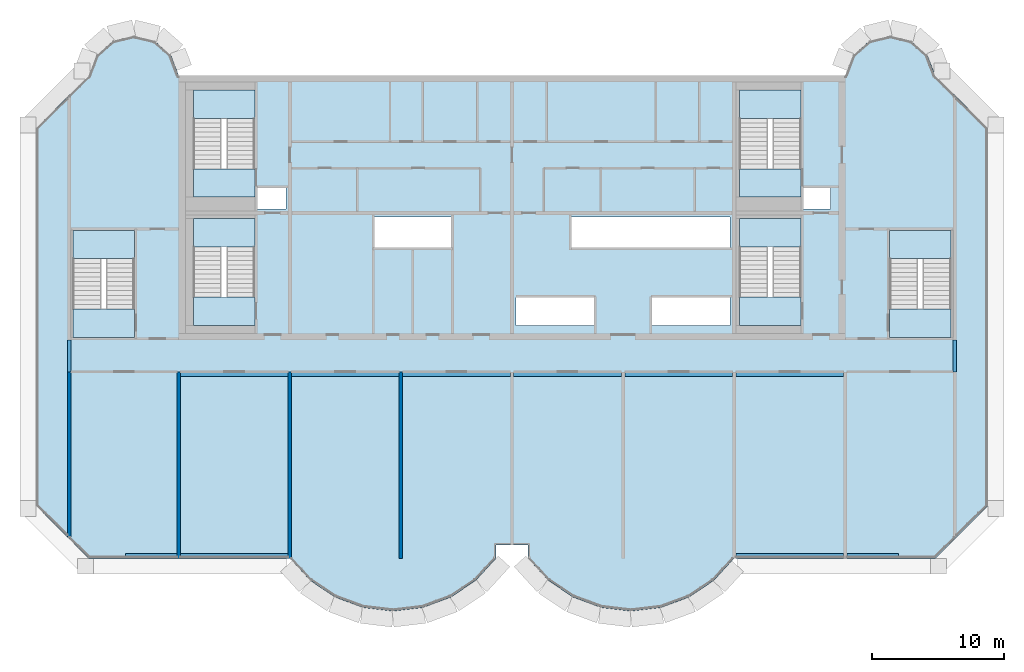
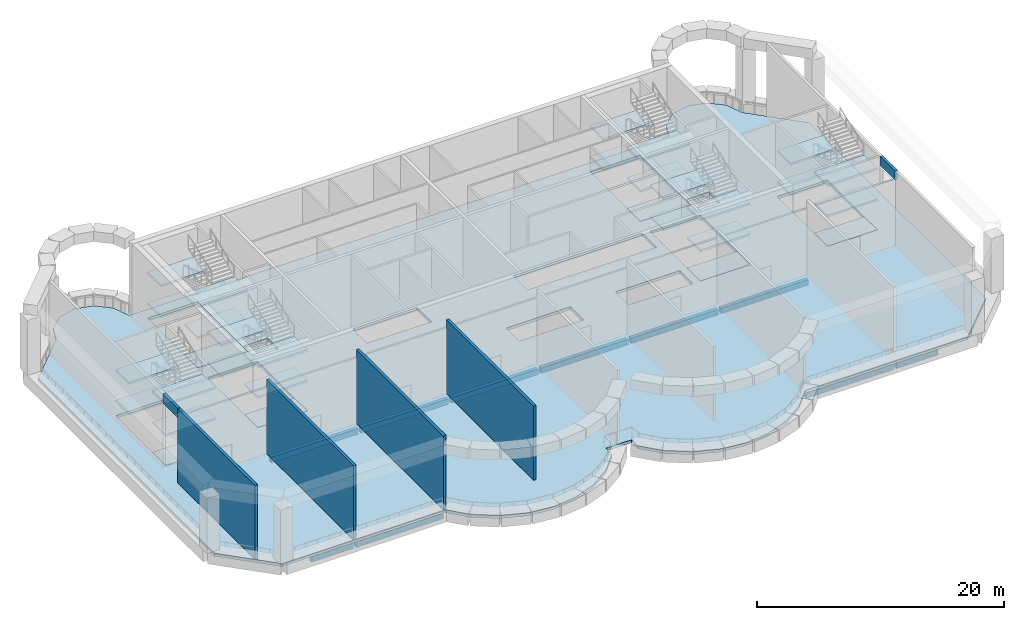
# One storey, part 1 of 11: 31 slabs, 12 beams, 4 walls, 6 elements without a shape of their own.
"""IFC4 building model written with IfcOpenShell, lengths in metres."""

from ifc_helpers import new_model, si_unit, direction, frame, frame_2d, origin, origin_2d, place, context, subcontext, project, spatial, polyline, rectangle, outline, extrude, source, transform, mapped, material, layer, layer_set, material_profile, profile_set, type_object, element, aggregate, save


model = new_model("IFC4")

# Units and contexts
model_context = context("Model", 3, precision=1e-05, world=origin(), true_north=direction((0.0, 1.0)))
body_context = subcontext(model_context, "Body", "Model", "MODEL_VIEW")
ifc_project = project(units=[si_unit("LENGTHUNIT", "METRE"), si_unit("AREAUNIT", "SQUARE_METRE"), si_unit("VOLUMEUNIT", "CUBIC_METRE"), si_unit("PLANEANGLEUNIT", "RADIAN"), si_unit("MASSUNIT", "GRAM", prefix="KILO")], contexts=[model_context])

# Site, building, storey
site_placement = place(None, origin())
site = spatial("IfcSite", under=ifc_project, at=site_placement, CompositionType="ELEMENT")
building_placement = place(site_placement, origin())
building = spatial("IfcBuilding", under=site, at=building_placement, Name="Vanashikhar Sky Hotel", CompositionType="ELEMENT")
storey_placement = place(building_placement, frame((0.0, 0.0, 270.10009765625)))
storey = spatial("IfcBuildingStorey", under=building, at=storey_placement, Name="L65", CompositionType="ELEMENT", Elevation=270.10009765625)

# Beams
ifc_material_1 = material(Name="Concrete M50", Category="concrete")
ifc_material_profile_1 = material_profile(ifc_material_1, rectangle(XDim=0.25, YDim=0.89990234375, at=origin_2d()))
ifc_profile_set_1 = profile_set([ifc_material_profile_1], Name="RC 250x900 beam Concrete M50")
beam_type_1 = type_object("IfcBeamType", Name="RC 250x900 beam Concrete M50", PredefinedType="LINTEL", material=ifc_profile_set_1)
shared_shape_1 = source(origin(), body_context, "Body", "SweptSolid", [
    extrude(rectangle(XDim=0.25, YDim=0.89990234375, at=origin_2d()), origin(), (0.0, 0.0, 1.0), 2.39990234375),
])
for number, where, z_axis, x_axis, name in (
    (1, (16.925048828125, 19.60009765625, 6.869873046875), (0.0, 1.0, 0.0), (-1.0, 0.0, 0.0), "LB-L65-XW03"),
    (2, (83.875, 19.60009765625, 6.869873046875), (0.0, 1.0, 0.0), (-1.0, 0.0, 0.0), "LB-L65-XW11"),
):
    element("IfcBeam", number, at=place(storey_placement, frame(where, z_axis=z_axis, x_axis=x_axis)), inside=storey, type_object=beam_type_1, Name=name, PredefinedType="LINTEL", context=body_context, shape_type="MappedRepresentation", body=[
        mapped(shared_shape_1, transform((0.0, 0.0, 0.0), scale=1.0)),
    ])
ifc_material_profile_2 = material_profile(ifc_material_1, rectangle(XDim=0.35009765625, YDim=0.550048828125, at=origin_2d()))
ifc_profile_set_2 = profile_set([ifc_material_profile_2], Name="RC 350x550 beam Concrete M50")
beam_type_2 = type_object("IfcBeamType", Name="RC 350x550 beam Concrete M50", PredefinedType="SPANDREL", material=ifc_profile_set_2)
shared_shape_2 = source(origin(), body_context, "Body", "SweptSolid", [
    extrude(rectangle(XDim=0.35009765625, YDim=0.550048828125, at=origin_2d()), origin(), (0.0, 0.0, 1.0), 8.150146484375),
])
for number, where, z_axis, x_axis, name in (
    (3, (25.324951171875, 5.675048828125, -0.55517578125), (1.0, 0.0, 0.0), (0.0, 1.0, 0.0), "EB-L65-F01"),
    (4, (67.324951171875, 5.675048828125, -0.55517578125), (1.0, 0.0, 0.0), (0.0, 1.0, 0.0), "EB-L65-F03"),
    (5, (25.324951171875, 19.425048828125, -0.55517578125), (1.0, 0.0, 0.0), (0.0, 1.0, 0.0), "CB-L65-01"),
    (6, (50.52490234375, 19.425048828125, -0.55517578125), (1.0, 0.0, 0.0), (0.0, 1.0, 0.0), "CB-L65-04"),
    (7, (67.324951171875, 19.425048828125, -0.55517578125), (1.0, 0.0, 0.0), (0.0, 1.0, 0.0), "CB-L65-06"),
):
    element("IfcBeam", number, at=place(storey_placement, frame(where, z_axis=z_axis, x_axis=x_axis)), inside=storey, type_object=beam_type_2, Name=name, PredefinedType="SPANDREL", context=body_context, shape_type="MappedRepresentation", body=[
        mapped(shared_shape_2, transform((0.0, 0.0, 0.0), scale=1.0)),
    ])
ifc_material_profile_3 = material_profile(ifc_material_1, rectangle(XDim=0.35009765625, YDim=0.550048828125, at=origin_2d()))
ifc_profile_set_3 = profile_set([ifc_material_profile_3], Name="RC 350x550 cantilever beam Concrete M50")
beam_type_3 = type_object("IfcBeamType", Name="RC 350x550 cantilever beam Concrete M50", PredefinedType="SPANDREL", material=ifc_profile_set_3)
shared_shape_3 = source(origin(), body_context, "Body", "SweptSolid", [
    extrude(rectangle(XDim=0.35009765625, YDim=0.550048828125, at=origin_2d()), origin(), (0.0, 0.0, 1.0), 3.89990234375),
])
for number, where, z_axis, x_axis, name in (
    (8, (21.175048828125, 5.675048828125, -0.55517578125), (1.0, 0.0, 0.0), (0.0, 1.0, 0.0), "EB-L65-F02"),
    (9, (75.72509765625, 5.675048828125, -0.55517578125), (1.0, 0.0, 0.0), (0.0, 1.0, 0.0), "EB-L65-F04"),
):
    element("IfcBeam", number, at=place(storey_placement, frame(where, z_axis=z_axis, x_axis=x_axis)), inside=storey, type_object=beam_type_3, Name=name, PredefinedType="SPANDREL", context=body_context, shape_type="MappedRepresentation", body=[
        mapped(shared_shape_3, transform((0.0, 0.0, 0.0), scale=1.0)),
    ])
shared_shape_4 = source(origin(), body_context, "Body", "SweptSolid", [
    extrude(rectangle(XDim=0.35009765625, YDim=0.550048828125, at=origin_2d()), origin(), (0.0, 0.0, 1.0), 8.14990234375),
])
for number, where, z_axis, x_axis, name in (
    (10, (33.72509765625, 19.425048828125, -0.55517578125), (1.0, 0.0, 0.0), (0.0, 1.0, 0.0), "CB-L65-02"),
    (11, (42.125, 19.425048828125, -0.55517578125), (1.0, 0.0, 0.0), (0.0, 1.0, 0.0), "CB-L65-03"),
    (12, (58.925048828125, 19.425048828125, -0.55517578125), (1.0, 0.0, 0.0), (0.0, 1.0, 0.0), "CB-L65-05"),
):
    element("IfcBeam", number, at=place(storey_placement, frame(where, z_axis=z_axis, x_axis=x_axis)), inside=storey, type_object=beam_type_2, Name=name, PredefinedType="SPANDREL", context=body_context, shape_type="MappedRepresentation", body=[
        mapped(shared_shape_4, transform((0.0, 0.0, 0.0), scale=1.0)),
    ])

# Slab
ifc_material_2 = material(Name="Concrete M40", Category="concrete")
ifc_layer_1 = layer(ifc_material_2, 0.280029296875)
ifc_layer_set_1 = layer_set([ifc_layer_1], Name="Floor slab 280 mm")
slab_type_1 = type_object("IfcSlabType", Name="Floor slab 280 mm", PredefinedType="FLOOR", material=ifc_layer_set_1)
shared_shape_5 = source(origin(), body_context, "Body", "SweptSolid", [
    extrude(outline(polyline([(49.199951171875, 5.5), (49.199951171875, 6.5), (51.60009765625, 6.5), (51.60009765625, 5.5), (53.133056640625, 3.825927734375), (55.01708984375, 2.55810546875), (57.14599609375, 1.76806640625), (59.39990234375, 1.5), (61.654052734375, 1.76806640625), (63.782958984375, 2.55810546875), (65.6669921875, 3.825927734375), (67.199951171875, 5.5), (82.39990234375, 5.5), (86.39990234375, 9.5), (86.39990234375, 38.0), (82.39990234375, 42.0), (81.81494140625, 43.527099609375), (80.587890625, 44.610107421875), (79.0, 45.0), (77.412109375, 44.610107421875), (76.18505859375, 43.527099609375), (75.60009765625, 42.0), (25.199951171875, 42.0), (24.614990234375, 43.527099609375), (23.387939453125, 44.610107421875), (21.800048828125, 45.0), (20.2119140625, 44.610107421875), (18.985107421875, 43.527099609375), (18.39990234375, 42.0), (14.39990234375, 38.0), (14.39990234375, 9.5), (18.39990234375, 5.5), (33.60009765625, 5.5), (35.133056640625, 3.825927734375), (37.01708984375, 2.55810546875), (39.14599609375, 1.76806640625), (41.39990234375, 1.5), (43.654052734375, 1.76806640625), (45.782958984375, 2.55810546875), (47.6669921875, 3.825927734375), (49.199951171875, 5.5)]), holes=[polyline([(33.300048828125, 33.60009765625), (31.050048828125, 33.60009765625), (31.050048828125, 31.89990234375), (33.300048828125, 31.89990234375), (33.300048828125, 33.60009765625)]), polyline([(39.89990234375, 31.300048828125), (39.89990234375, 29.0), (45.89990234375, 29.0), (45.89990234375, 31.300048828125), (39.89990234375, 31.300048828125)]), polyline([(50.699951171875, 25.199951171875), (50.699951171875, 23.10009765625), (56.699951171875, 23.10009765625), (56.699951171875, 25.199951171875), (50.699951171875, 25.199951171875)]), polyline([(66.89990234375, 29.0), (66.89990234375, 31.300048828125), (54.89990234375, 31.300048828125), (54.89990234375, 29.0), (66.89990234375, 29.0)]), polyline([(60.89990234375, 25.199951171875), (60.89990234375, 23.10009765625), (66.89990234375, 23.10009765625), (66.89990234375, 25.199951171875), (60.89990234375, 25.199951171875)]), polyline([(74.5, 33.60009765625), (72.35009765625, 33.60009765625), (72.35009765625, 31.89990234375), (74.5, 31.89990234375), (74.5, 33.60009765625)]), polyline([(30.949951171875, 23.10009765625), (30.949951171875, 31.199951171875), (26.300048828125, 31.199951171875), (26.300048828125, 23.10009765625), (30.949951171875, 23.10009765625)]), polyline([(72.25, 23.10009765625), (72.25, 31.199951171875), (67.60009765625, 31.199951171875), (67.60009765625, 23.10009765625), (72.25, 23.10009765625)]), polyline([(30.949951171875, 32.800048828125), (30.949951171875, 40.89990234375), (26.300048828125, 40.89990234375), (26.300048828125, 32.800048828125), (30.949951171875, 32.800048828125)]), polyline([(72.25, 32.800048828125), (72.25, 40.89990234375), (67.60009765625, 40.89990234375), (67.60009765625, 32.800048828125), (72.25, 32.800048828125)]), polyline([(83.60009765625, 22.199951171875), (83.60009765625, 30.300048828125), (78.949951171875, 30.300048828125), (78.949951171875, 22.199951171875), (83.60009765625, 22.199951171875)]), polyline([(21.85009765625, 22.199951171875), (21.85009765625, 30.300048828125), (17.199951171875, 30.300048828125), (17.199951171875, 22.199951171875), (21.85009765625, 22.199951171875)])]), origin(), (0.0, 0.0, 1.0), 0.280029296875),
])
slab_1_placement = place(storey_placement, frame((0.0, 0.0, -0.280029296875)))
element("IfcSlab", 13, at=slab_1_placement, inside=storey, type_object=slab_type_1, Name="Floor slab L65", PredefinedType="FLOOR", context=body_context, shape_type="MappedRepresentation", body=[
    mapped(shared_shape_5, transform((0.0, 0.0, 0.0), scale=1.0)),
])

# Stair, slabs
stair_type = type_object("IfcStairType", Name="Exit stair 2150", PredefinedType="DOUBLE_RETURN_STAIR", material=ifc_material_2)
stair_1_placement = place(storey_placement, origin())
stair_1 = element("IfcStair", 14, at=stair_1_placement, inside=storey, type_object=stair_type, Name="L65 Exit stair 1", PredefinedType="DOUBLE_RETURN_STAIR")
ifc_layer_2 = layer(ifc_material_2, 0.199951171875)
ifc_layer_set_2 = layer_set([ifc_layer_2], Name="Stair landing 200")
slab_type_2 = type_object("IfcSlabType", Name="Stair landing 200", PredefinedType="LANDING", material=ifc_layer_set_2)
shared_shape_6 = source(origin(), body_context, "Body", "SweptSolid", [
    extrude(outline(polyline([(30.949951171875, 29.050048828125), (30.949951171875, 31.199951171875), (26.300048828125, 31.199951171875), (26.300048828125, 29.050048828125), (30.949951171875, 29.050048828125)])), origin(), (0.0, 0.0, 1.0), 0.199951171875),
])
slab_2_placement = place(storey_placement, frame((0.0, 0.0, 4.35986328125)))
slab_2 = element("IfcSlab", 15, at=slab_2_placement, type_object=slab_type_2, Name="ST-C1 landing 3", PredefinedType="LANDING", context=body_context, shape_type="MappedRepresentation", body=[
    mapped(shared_shape_6, transform((0.0, 0.0, 0.0), scale=1.0)),
])
shared_shape_7 = source(origin(), body_context, "Body", "SweptSolid", [
    extrude(outline(polyline([(30.949951171875, 23.10009765625), (30.949951171875, 25.25), (26.300048828125, 25.25), (26.300048828125, 23.10009765625), (30.949951171875, 23.10009765625)])), origin(), (0.0, 0.0, 1.0), 0.199951171875),
])
slab_3_placement = place(storey_placement, frame((0.0, 0.0, 2.83984375)))
slab_3 = element("IfcSlab", 16, at=slab_3_placement, type_object=slab_type_2, Name="ST-C1 landing 2", PredefinedType="LANDING", context=body_context, shape_type="MappedRepresentation", body=[
    mapped(shared_shape_7, transform((0.0, 0.0, 0.0), scale=1.0)),
])
slab_4_placement = place(storey_placement, frame((0.0, 0.0, 5.8798828125)))
slab_4 = element("IfcSlab", 17, at=slab_4_placement, type_object=slab_type_2, Name="ST-C1 landing 4", PredefinedType="LANDING", context=body_context, shape_type="MappedRepresentation", body=[
    mapped(shared_shape_7, transform((0.0, 0.0, 0.0), scale=1.0)),
])
shared_shape_8 = source(origin(), body_context, "Body", "SweptSolid", [
    extrude(outline(polyline([(30.949951171875, 29.050048828125), (30.949951171875, 31.199951171875), (26.300048828125, 31.199951171875), (26.300048828125, 29.050048828125), (30.949951171875, 29.050048828125)])), origin(), (0.0, 0.0, 1.0), 0.2001953125),
])
slab_5_placement = place(storey_placement, frame((0.0, 0.0, 1.31982421875)))
slab_5 = element("IfcSlab", 18, at=slab_5_placement, type_object=slab_type_2, Name="ST-C1 landing 1", PredefinedType="LANDING", context=body_context, shape_type="MappedRepresentation", body=[
    mapped(shared_shape_8, transform((0.0, 0.0, 0.0), scale=1.0)),
])
aggregate(stair_1, [slab_5, slab_3, slab_2, slab_4])

# Slab
ifc_layer_3 = layer(ifc_material_2, 0.280029296875)
ifc_layer_set_3 = layer_set([ifc_layer_3], Name="Stair floor landing 280")
slab_type_3 = type_object("IfcSlabType", Name="Stair floor landing 280", PredefinedType="LANDING", material=ifc_layer_set_3)
shared_shape_9 = source(origin(), body_context, "Body", "SweptSolid", [
    extrude(outline(polyline([(30.949951171875, 23.10009765625), (30.949951171875, 25.25), (26.300048828125, 25.25), (26.300048828125, 23.10009765625), (30.949951171875, 23.10009765625)])), origin(), (0.0, 0.0, 1.0), 0.280029296875),
])
slab_6_placement = place(storey_placement, frame((0.0, 0.0, -0.280029296875)))
element("IfcSlab", 19, at=slab_6_placement, inside=storey, type_object=slab_type_3, Name="Exit stair 1 floor landing", PredefinedType="LANDING", context=body_context, shape_type="MappedRepresentation", body=[
    mapped(shared_shape_9, transform((0.0, 0.0, 0.0), scale=1.0)),
])

# Stair, slabs
stair_2_placement = place(storey_placement, origin())
stair_2 = element("IfcStair", 20, at=stair_2_placement, inside=storey, type_object=stair_type, Name="L65 Exit stair 2", PredefinedType="DOUBLE_RETURN_STAIR")
shared_shape_10 = source(origin(), body_context, "Body", "SweptSolid", [
    extrude(outline(polyline([(72.25, 29.050048828125), (72.25, 31.199951171875), (67.60009765625, 31.199951171875), (67.60009765625, 29.050048828125), (72.25, 29.050048828125)])), origin(), (0.0, 0.0, 1.0), 0.199951171875),
])
slab_7_placement = place(storey_placement, frame((0.0, 0.0, 4.35986328125)))
slab_7 = element("IfcSlab", 21, at=slab_7_placement, type_object=slab_type_2, Name="ST-C2 landing 3", PredefinedType="LANDING", context=body_context, shape_type="MappedRepresentation", body=[
    mapped(shared_shape_10, transform((0.0, 0.0, 0.0), scale=1.0)),
])
shared_shape_11 = source(origin(), body_context, "Body", "SweptSolid", [
    extrude(outline(polyline([(72.25, 23.10009765625), (72.25, 25.25), (67.60009765625, 25.25), (67.60009765625, 23.10009765625), (72.25, 23.10009765625)])), origin(), (0.0, 0.0, 1.0), 0.199951171875),
])
slab_8_placement = place(storey_placement, frame((0.0, 0.0, 2.83984375)))
slab_8 = element("IfcSlab", 22, at=slab_8_placement, type_object=slab_type_2, Name="ST-C2 landing 2", PredefinedType="LANDING", context=body_context, shape_type="MappedRepresentation", body=[
    mapped(shared_shape_11, transform((0.0, 0.0, 0.0), scale=1.0)),
])
slab_9_placement = place(storey_placement, frame((0.0, 0.0, 5.8798828125)))
slab_9 = element("IfcSlab", 23, at=slab_9_placement, type_object=slab_type_2, Name="ST-C2 landing 4", PredefinedType="LANDING", context=body_context, shape_type="MappedRepresentation", body=[
    mapped(shared_shape_11, transform((0.0, 0.0, 0.0), scale=1.0)),
])
shared_shape_12 = source(origin(), body_context, "Body", "SweptSolid", [
    extrude(outline(polyline([(72.25, 29.050048828125), (72.25, 31.199951171875), (67.60009765625, 31.199951171875), (67.60009765625, 29.050048828125), (72.25, 29.050048828125)])), origin(), (0.0, 0.0, 1.0), 0.2001953125),
])
slab_10_placement = place(storey_placement, frame((0.0, 0.0, 1.31982421875)))
slab_10 = element("IfcSlab", 24, at=slab_10_placement, type_object=slab_type_2, Name="ST-C2 landing 1", PredefinedType="LANDING", context=body_context, shape_type="MappedRepresentation", body=[
    mapped(shared_shape_12, transform((0.0, 0.0, 0.0), scale=1.0)),
])
aggregate(stair_2, [slab_10, slab_8, slab_7, slab_9])

# Slab
shared_shape_13 = source(origin(), body_context, "Body", "SweptSolid", [
    extrude(outline(polyline([(72.25, 23.10009765625), (72.25, 25.25), (67.60009765625, 25.25), (67.60009765625, 23.10009765625), (72.25, 23.10009765625)])), origin(), (0.0, 0.0, 1.0), 0.280029296875),
])
slab_11_placement = place(storey_placement, frame((0.0, 0.0, -0.280029296875)))
element("IfcSlab", 25, at=slab_11_placement, inside=storey, type_object=slab_type_3, Name="Exit stair 2 floor landing", PredefinedType="LANDING", context=body_context, shape_type="MappedRepresentation", body=[
    mapped(shared_shape_13, transform((0.0, 0.0, 0.0), scale=1.0)),
])

# Stair, slabs
stair_3_placement = place(storey_placement, origin())
stair_3 = element("IfcStair", 26, at=stair_3_placement, inside=storey, type_object=stair_type, Name="L65 Exit stair 3", PredefinedType="DOUBLE_RETURN_STAIR")
shared_shape_14 = source(origin(), body_context, "Body", "SweptSolid", [
    extrude(outline(polyline([(21.85009765625, 28.14990234375), (21.85009765625, 30.300048828125), (17.199951171875, 30.300048828125), (17.199951171875, 28.14990234375), (21.85009765625, 28.14990234375)])), origin(), (0.0, 0.0, 1.0), 0.199951171875),
])
slab_12_placement = place(storey_placement, frame((0.0, 0.0, 4.35986328125)))
slab_12 = element("IfcSlab", 27, at=slab_12_placement, type_object=slab_type_2, Name="ST-W landing 3", PredefinedType="LANDING", context=body_context, shape_type="MappedRepresentation", body=[
    mapped(shared_shape_14, transform((0.0, 0.0, 0.0), scale=1.0)),
])
shared_shape_15 = source(origin(), body_context, "Body", "SweptSolid", [
    extrude(outline(polyline([(21.85009765625, 22.199951171875), (21.85009765625, 24.35009765625), (17.199951171875, 24.35009765625), (17.199951171875, 22.199951171875), (21.85009765625, 22.199951171875)])), origin(), (0.0, 0.0, 1.0), 0.199951171875),
])
slab_13_placement = place(storey_placement, frame((0.0, 0.0, 2.83984375)))
slab_13 = element("IfcSlab", 28, at=slab_13_placement, type_object=slab_type_2, Name="ST-W landing 2", PredefinedType="LANDING", context=body_context, shape_type="MappedRepresentation", body=[
    mapped(shared_shape_15, transform((0.0, 0.0, 0.0), scale=1.0)),
])
slab_14_placement = place(storey_placement, frame((0.0, 0.0, 5.8798828125)))
slab_14 = element("IfcSlab", 29, at=slab_14_placement, type_object=slab_type_2, Name="ST-W landing 4", PredefinedType="LANDING", context=body_context, shape_type="MappedRepresentation", body=[
    mapped(shared_shape_15, transform((0.0, 0.0, 0.0), scale=1.0)),
])
shared_shape_16 = source(origin(), body_context, "Body", "SweptSolid", [
    extrude(outline(polyline([(21.85009765625, 28.14990234375), (21.85009765625, 30.300048828125), (17.199951171875, 30.300048828125), (17.199951171875, 28.14990234375), (21.85009765625, 28.14990234375)])), origin(), (0.0, 0.0, 1.0), 0.2001953125),
])
slab_15_placement = place(storey_placement, frame((0.0, 0.0, 1.31982421875)))
slab_15 = element("IfcSlab", 30, at=slab_15_placement, type_object=slab_type_2, Name="ST-W landing 1", PredefinedType="LANDING", context=body_context, shape_type="MappedRepresentation", body=[
    mapped(shared_shape_16, transform((0.0, 0.0, 0.0), scale=1.0)),
])
aggregate(stair_3, [slab_15, slab_13, slab_12, slab_14])

# Slab
shared_shape_17 = source(origin(), body_context, "Body", "SweptSolid", [
    extrude(outline(polyline([(21.85009765625, 22.199951171875), (21.85009765625, 24.35009765625), (17.199951171875, 24.35009765625), (17.199951171875, 22.199951171875), (21.85009765625, 22.199951171875)])), origin(), (0.0, 0.0, 1.0), 0.280029296875),
])
slab_16_placement = place(storey_placement, frame((0.0, 0.0, -0.280029296875)))
element("IfcSlab", 31, at=slab_16_placement, inside=storey, type_object=slab_type_3, Name="Exit stair 3 floor landing", PredefinedType="LANDING", context=body_context, shape_type="MappedRepresentation", body=[
    mapped(shared_shape_17, transform((0.0, 0.0, 0.0), scale=1.0)),
])

# Stair, slabs
stair_4_placement = place(storey_placement, origin())
stair_4 = element("IfcStair", 32, at=stair_4_placement, inside=storey, type_object=stair_type, Name="L65 Exit stair 4", PredefinedType="DOUBLE_RETURN_STAIR")
shared_shape_18 = source(origin(), body_context, "Body", "SweptSolid", [
    extrude(outline(polyline([(83.60009765625, 28.14990234375), (83.60009765625, 30.300048828125), (78.949951171875, 30.300048828125), (78.949951171875, 28.14990234375), (83.60009765625, 28.14990234375)])), origin(), (0.0, 0.0, 1.0), 0.199951171875),
])
slab_17_placement = place(storey_placement, frame((0.0, 0.0, 4.35986328125)))
slab_17 = element("IfcSlab", 33, at=slab_17_placement, type_object=slab_type_2, Name="ST-E landing 3", PredefinedType="LANDING", context=body_context, shape_type="MappedRepresentation", body=[
    mapped(shared_shape_18, transform((0.0, 0.0, 0.0), scale=1.0)),
])
shared_shape_19 = source(origin(), body_context, "Body", "SweptSolid", [
    extrude(outline(polyline([(83.60009765625, 22.199951171875), (83.60009765625, 24.35009765625), (78.949951171875, 24.35009765625), (78.949951171875, 22.199951171875), (83.60009765625, 22.199951171875)])), origin(), (0.0, 0.0, 1.0), 0.199951171875),
])
slab_18_placement = place(storey_placement, frame((0.0, 0.0, 2.83984375)))
slab_18 = element("IfcSlab", 34, at=slab_18_placement, type_object=slab_type_2, Name="ST-E landing 2", PredefinedType="LANDING", context=body_context, shape_type="MappedRepresentation", body=[
    mapped(shared_shape_19, transform((0.0, 0.0, 0.0), scale=1.0)),
])
slab_19_placement = place(storey_placement, frame((0.0, 0.0, 5.8798828125)))
slab_19 = element("IfcSlab", 35, at=slab_19_placement, type_object=slab_type_2, Name="ST-E landing 4", PredefinedType="LANDING", context=body_context, shape_type="MappedRepresentation", body=[
    mapped(shared_shape_19, transform((0.0, 0.0, 0.0), scale=1.0)),
])
shared_shape_20 = source(origin(), body_context, "Body", "SweptSolid", [
    extrude(outline(polyline([(83.60009765625, 28.14990234375), (83.60009765625, 30.300048828125), (78.949951171875, 30.300048828125), (78.949951171875, 28.14990234375), (83.60009765625, 28.14990234375)])), origin(), (0.0, 0.0, 1.0), 0.2001953125),
])
slab_20_placement = place(storey_placement, frame((0.0, 0.0, 1.31982421875)))
slab_20 = element("IfcSlab", 36, at=slab_20_placement, type_object=slab_type_2, Name="ST-E landing 1", PredefinedType="LANDING", context=body_context, shape_type="MappedRepresentation", body=[
    mapped(shared_shape_20, transform((0.0, 0.0, 0.0), scale=1.0)),
])
aggregate(stair_4, [slab_20, slab_18, slab_17, slab_19])

# Slab
shared_shape_21 = source(origin(), body_context, "Body", "SweptSolid", [
    extrude(outline(polyline([(83.60009765625, 22.199951171875), (83.60009765625, 24.35009765625), (78.949951171875, 24.35009765625), (78.949951171875, 22.199951171875), (83.60009765625, 22.199951171875)])), origin(), (0.0, 0.0, 1.0), 0.280029296875),
])
slab_21_placement = place(storey_placement, frame((0.0, 0.0, -0.280029296875)))
element("IfcSlab", 37, at=slab_21_placement, inside=storey, type_object=slab_type_3, Name="Exit stair 4 floor landing", PredefinedType="LANDING", context=body_context, shape_type="MappedRepresentation", body=[
    mapped(shared_shape_21, transform((0.0, 0.0, 0.0), scale=1.0)),
])

# Stair, slabs
stair_5_placement = place(storey_placement, origin())
stair_5 = element("IfcStair", 38, at=stair_5_placement, inside=storey, type_object=stair_type, Name="L65 Exit stair 5", PredefinedType="DOUBLE_RETURN_STAIR")
shared_shape_22 = source(origin(), body_context, "Body", "SweptSolid", [
    extrude(outline(polyline([(30.949951171875, 38.75), (30.949951171875, 40.89990234375), (26.300048828125, 40.89990234375), (26.300048828125, 38.75), (30.949951171875, 38.75)])), origin(), (0.0, 0.0, 1.0), 0.199951171875),
])
slab_22_placement = place(storey_placement, frame((0.0, 0.0, 4.35986328125)))
slab_22 = element("IfcSlab", 39, at=slab_22_placement, type_object=slab_type_2, Name="ST-C3 landing 3", PredefinedType="LANDING", context=body_context, shape_type="MappedRepresentation", body=[
    mapped(shared_shape_22, transform((0.0, 0.0, 0.0), scale=1.0)),
])
shared_shape_23 = source(origin(), body_context, "Body", "SweptSolid", [
    extrude(outline(polyline([(30.949951171875, 32.800048828125), (30.949951171875, 34.949951171875), (26.300048828125, 34.949951171875), (26.300048828125, 32.800048828125), (30.949951171875, 32.800048828125)])), origin(), (0.0, 0.0, 1.0), 0.199951171875),
])
slab_23_placement = place(storey_placement, frame((0.0, 0.0, 2.83984375)))
slab_23 = element("IfcSlab", 40, at=slab_23_placement, type_object=slab_type_2, Name="ST-C3 landing 2", PredefinedType="LANDING", context=body_context, shape_type="MappedRepresentation", body=[
    mapped(shared_shape_23, transform((0.0, 0.0, 0.0), scale=1.0)),
])
slab_24_placement = place(storey_placement, frame((0.0, 0.0, 5.8798828125)))
slab_24 = element("IfcSlab", 41, at=slab_24_placement, type_object=slab_type_2, Name="ST-C3 landing 4", PredefinedType="LANDING", context=body_context, shape_type="MappedRepresentation", body=[
    mapped(shared_shape_23, transform((0.0, 0.0, 0.0), scale=1.0)),
])
shared_shape_24 = source(origin(), body_context, "Body", "SweptSolid", [
    extrude(outline(polyline([(30.949951171875, 38.75), (30.949951171875, 40.89990234375), (26.300048828125, 40.89990234375), (26.300048828125, 38.75), (30.949951171875, 38.75)])), origin(), (0.0, 0.0, 1.0), 0.2001953125),
])
slab_25_placement = place(storey_placement, frame((0.0, 0.0, 1.31982421875)))
slab_25 = element("IfcSlab", 42, at=slab_25_placement, type_object=slab_type_2, Name="ST-C3 landing 1", PredefinedType="LANDING", context=body_context, shape_type="MappedRepresentation", body=[
    mapped(shared_shape_24, transform((0.0, 0.0, 0.0), scale=1.0)),
])
aggregate(stair_5, [slab_25, slab_23, slab_22, slab_24])

# Slab
shared_shape_25 = source(origin(), body_context, "Body", "SweptSolid", [
    extrude(outline(polyline([(30.949951171875, 32.800048828125), (30.949951171875, 34.949951171875), (26.300048828125, 34.949951171875), (26.300048828125, 32.800048828125), (30.949951171875, 32.800048828125)])), origin(), (0.0, 0.0, 1.0), 0.280029296875),
])
slab_26_placement = place(storey_placement, frame((0.0, 0.0, -0.280029296875)))
element("IfcSlab", 43, at=slab_26_placement, inside=storey, type_object=slab_type_3, Name="Exit stair 5 floor landing", PredefinedType="LANDING", context=body_context, shape_type="MappedRepresentation", body=[
    mapped(shared_shape_25, transform((0.0, 0.0, 0.0), scale=1.0)),
])

# Stair, slabs
stair_6_placement = place(storey_placement, origin())
stair_6 = element("IfcStair", 44, at=stair_6_placement, inside=storey, type_object=stair_type, Name="L65 Exit stair 6", PredefinedType="DOUBLE_RETURN_STAIR")
shared_shape_26 = source(origin(), body_context, "Body", "SweptSolid", [
    extrude(outline(polyline([(72.25, 38.75), (72.25, 40.89990234375), (67.60009765625, 40.89990234375), (67.60009765625, 38.75), (72.25, 38.75)])), origin(), (0.0, 0.0, 1.0), 0.199951171875),
])
slab_27_placement = place(storey_placement, frame((0.0, 0.0, 4.35986328125)))
slab_27 = element("IfcSlab", 45, at=slab_27_placement, type_object=slab_type_2, Name="ST-C4 landing 3", PredefinedType="LANDING", context=body_context, shape_type="MappedRepresentation", body=[
    mapped(shared_shape_26, transform((0.0, 0.0, 0.0), scale=1.0)),
])
shared_shape_27 = source(origin(), body_context, "Body", "SweptSolid", [
    extrude(outline(polyline([(72.25, 32.800048828125), (72.25, 34.949951171875), (67.60009765625, 34.949951171875), (67.60009765625, 32.800048828125), (72.25, 32.800048828125)])), origin(), (0.0, 0.0, 1.0), 0.199951171875),
])
slab_28_placement = place(storey_placement, frame((0.0, 0.0, 2.83984375)))
slab_28 = element("IfcSlab", 46, at=slab_28_placement, type_object=slab_type_2, Name="ST-C4 landing 2", PredefinedType="LANDING", context=body_context, shape_type="MappedRepresentation", body=[
    mapped(shared_shape_27, transform((0.0, 0.0, 0.0), scale=1.0)),
])
slab_29_placement = place(storey_placement, frame((0.0, 0.0, 5.8798828125)))
slab_29 = element("IfcSlab", 47, at=slab_29_placement, type_object=slab_type_2, Name="ST-C4 landing 4", PredefinedType="LANDING", context=body_context, shape_type="MappedRepresentation", body=[
    mapped(shared_shape_27, transform((0.0, 0.0, 0.0), scale=1.0)),
])
shared_shape_28 = source(origin(), body_context, "Body", "SweptSolid", [
    extrude(outline(polyline([(72.25, 38.75), (72.25, 40.89990234375), (67.60009765625, 40.89990234375), (67.60009765625, 38.75), (72.25, 38.75)])), origin(), (0.0, 0.0, 1.0), 0.2001953125),
])
slab_30_placement = place(storey_placement, frame((0.0, 0.0, 1.31982421875)))
slab_30 = element("IfcSlab", 48, at=slab_30_placement, type_object=slab_type_2, Name="ST-C4 landing 1", PredefinedType="LANDING", context=body_context, shape_type="MappedRepresentation", body=[
    mapped(shared_shape_28, transform((0.0, 0.0, 0.0), scale=1.0)),
])
aggregate(stair_6, [slab_30, slab_28, slab_27, slab_29])

# Slab
shared_shape_29 = source(origin(), body_context, "Body", "SweptSolid", [
    extrude(outline(polyline([(72.25, 32.800048828125), (72.25, 34.949951171875), (67.60009765625, 34.949951171875), (67.60009765625, 32.800048828125), (72.25, 32.800048828125)])), origin(), (0.0, 0.0, 1.0), 0.280029296875),
])
slab_31_placement = place(storey_placement, frame((0.0, 0.0, -0.280029296875)))
element("IfcSlab", 49, at=slab_31_placement, inside=storey, type_object=slab_type_3, Name="Exit stair 6 floor landing", PredefinedType="LANDING", context=body_context, shape_type="MappedRepresentation", body=[
    mapped(shared_shape_29, transform((0.0, 0.0, 0.0), scale=1.0)),
])

# Walls
ifc_layer_4 = layer(ifc_material_1, 0.25)
ifc_layer_set_4 = layer_set([ifc_layer_4], Name="RC shear wall 250 Concrete M50")
wall_type = type_object("IfcWallType", Name="RC shear wall 250 Concrete M50", PredefinedType="SHEAR", material=ifc_layer_set_4)
shared_shape_30 = source(origin(), body_context, "Body", "SweptSolid", [
    extrude(rectangle(XDim=12.5, YDim=0.25, at=frame_2d((6.25, 0.0))), origin(), (0.0, 0.0, 1.0), 7.31982421875),
])
wall_placement = place(storey_placement, frame((16.925048828125, 7.10009765625, 0.0), z_axis=(0.0, 0.0, 1.0), x_axis=(0.0, 1.0, 0.0)))
element("IfcWall", 50, at=wall_placement, inside=storey, type_object=wall_type, Name="CW-L65-XW03-1", PredefinedType="SHEAR", context=body_context, shape_type="MappedRepresentation", body=[
    mapped(shared_shape_30, transform((0.0, 0.0, 0.0), scale=1.0)),
])
shared_shape_31 = source(origin(), body_context, "Body", "SweptSolid", [
    extrude(rectangle(XDim=14.10009765625, YDim=0.25, at=frame_2d((7.050048828125, 0.0))), origin(), (0.0, 0.0, 1.0), 7.31982421875),
])
for number, where, z_axis, x_axis, name in (
    (51, (25.199951171875, 5.5, 0.0), (0.0, 0.0, 1.0), (0.0, 1.0, 0.0), "CW-L65-XW04-1"),
    (52, (33.60009765625, 5.5, 0.0), (0.0, 0.0, 1.0), (0.0, 1.0, 0.0), "CW-L65-XW05-1"),
    (53, (42.0, 5.5, 0.0), (0.0, 0.0, 1.0), (0.0, 1.0, 0.0), "CW-L65-XW06-1"),
):
    element("IfcWall", number, at=place(storey_placement, frame(where, z_axis=z_axis, x_axis=x_axis)), inside=storey, type_object=wall_type, Name=name, PredefinedType="SHEAR", context=body_context, shape_type="MappedRepresentation", body=[
        mapped(shared_shape_31, transform((0.0, 0.0, 0.0), scale=1.0)),
    ])

save(model, "model.ifc")
